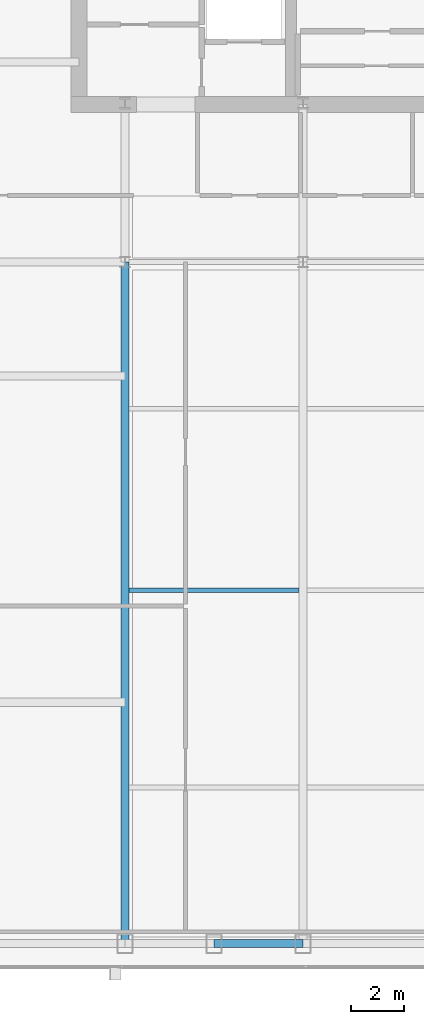
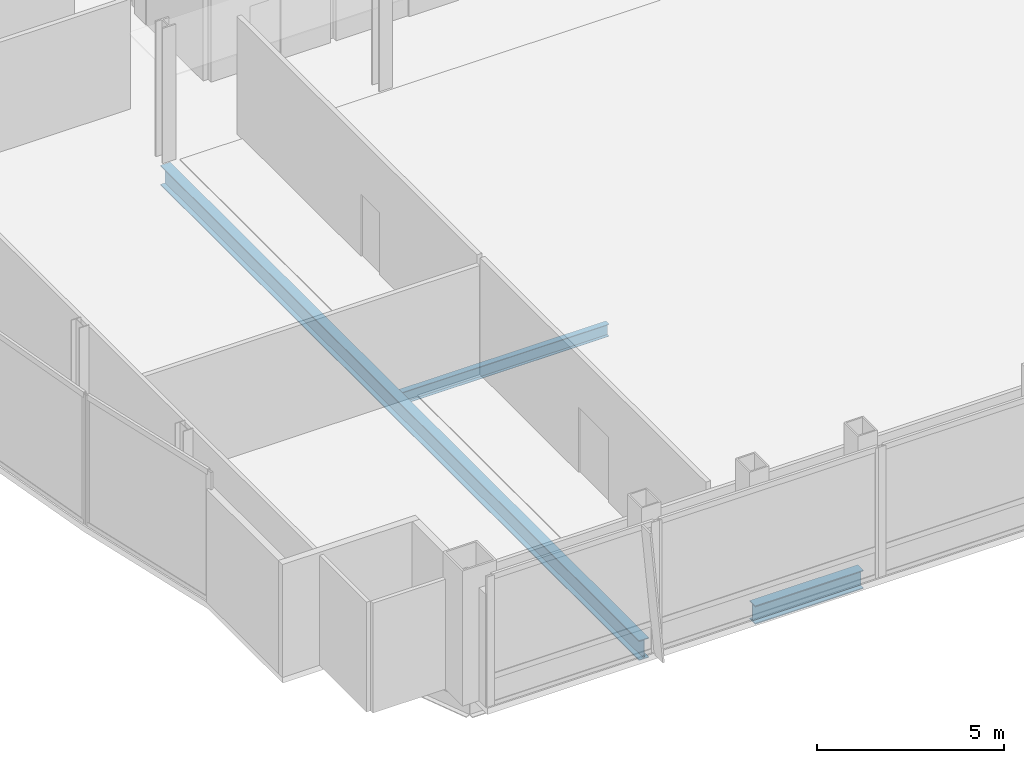
# One storey, part 7 of 28: 3 beams.
"""IFC4 building model written with IfcOpenShell, lengths in metres."""

from ifc_helpers import new_model, si_unit, direction, frame, origin, origin_2d, place, context, subcontext, project, spatial, i_section, extrude, material, material_profile, profile_set, type_object, element, save


model = new_model("IFC4")

# Units and contexts
model_context = context("Model", 3, precision=1e-05, world=origin(), true_north=direction((0.0, 1.0)))
body_context = subcontext(model_context, "Body", "Model", "MODEL_VIEW")
ifc_project = project(units=[si_unit("LENGTHUNIT", "METRE"), si_unit("AREAUNIT", "SQUARE_METRE"), si_unit("VOLUMEUNIT", "CUBIC_METRE"), si_unit("PLANEANGLEUNIT", "RADIAN"), si_unit("MASSUNIT", "GRAM", prefix="KILO")], contexts=[model_context])

# Site, building, storey
site_placement = place(None, origin())
site = spatial("IfcSite", under=ifc_project, at=site_placement, CompositionType="ELEMENT")
building_placement = place(site_placement, origin())
building = spatial("IfcBuilding", under=site, at=building_placement, Name="Khoronbel Lancet Exchange", CompositionType="ELEMENT")
storey_placement = place(building_placement, frame((0.0, 0.0, 265.39990234375)))
storey = spatial("IfcBuildingStorey", under=building, at=storey_placement, Name="L68", CompositionType="ELEMENT", Elevation=265.39990234375)

# Beams
ifc_material = material(Name="Steel S355", Category="steel")
ifc_material_profile_1 = material_profile(ifc_material, i_section(OverallWidth=0.300048828125, OverallDepth=0.64990234375, WebThickness=0.01611328125, FlangeThickness=0.031005859375, at=origin_2d()), Name="HEB 650")
ifc_profile_set_1 = profile_set([ifc_material_profile_1], Name="Steel S355")
beam_type_1 = type_object("IfcBeamType", Name="BM-BG4", PredefinedType="BEAM", material=ifc_profile_set_1)
beam_1_placement = place(storey_placement, frame((18.22509765625, 10.14990234375, -0.52490234375), z_axis=(0.0, 1.0, 0.0), x_axis=(-1.0, 0.0, 0.0)))
element("IfcBeam", 1, at=beam_1_placement, inside=storey, type_object=beam_type_1, Name="Level L68 south primary girder GS1", PredefinedType="BEAM", context=body_context, shape_type="SweptSolid", body=[
    extrude(i_section(OverallWidth=0.300048828125, OverallDepth=0.64990234375, WebThickness=0.01611328125, FlangeThickness=0.031005859375, at=origin_2d()), origin(), (0.0, 0.0, 1.0), 25.550048828125),
])
ifc_material_profile_2 = material_profile(ifc_material, i_section(OverallWidth=0.179931640625, OverallDepth=0.39990234375, WebThickness=0.008544921875, FlangeThickness=0.013427734375, at=origin_2d()), Name="IPE 400")
ifc_profile_set_2 = profile_set([ifc_material_profile_2], Name="Steel S355")
beam_type_2 = type_object("IfcBeamType", Name="BM-BJ5", PredefinedType="JOIST", material=ifc_profile_set_2)
beam_2_placement = place(storey_placement, frame((18.375, 23.39990234375, -0.39990234375), z_axis=(1.0, 0.0, 0.0), x_axis=(0.0, 1.0, 0.0)))
element("IfcBeam", 2, at=beam_2_placement, inside=storey, type_object=beam_type_2, Name="Level L68 secondary composite joist J06", PredefinedType="JOIST", context=body_context, shape_type="SweptSolid", body=[
    extrude(i_section(OverallWidth=0.179931640625, OverallDepth=0.39990234375, WebThickness=0.008544921875, FlangeThickness=0.013427734375, at=origin_2d()), origin(), (0.0, 0.0, 1.0), 6.375),
])
ifc_material_profile_3 = material_profile(ifc_material, i_section(OverallWidth=0.300048828125, OverallDepth=0.60009765625, WebThickness=0.015380859375, FlangeThickness=0.030029296875, at=origin_2d()), Name="HEB 600")
ifc_profile_set_3 = profile_set([ifc_material_profile_3], Name="Steel S355")
beam_type_3 = type_object("IfcBeamType", Name="BM-BSP2", PredefinedType="SPANDREL", material=ifc_profile_set_3)
beam_3_placement = place(storey_placement, frame((21.5625, 10.14990234375, -0.5), z_axis=(1.0, 0.0, 0.0), x_axis=(0.0, 1.0, 0.0)))
element("IfcBeam", 3, at=beam_3_placement, inside=storey, type_object=beam_type_3, Name="Level L68 perimeter spandrel beam SP03", PredefinedType="SPANDREL", context=body_context, shape_type="SweptSolid", body=[
    extrude(i_section(OverallWidth=0.300048828125, OverallDepth=0.60009765625, WebThickness=0.015380859375, FlangeThickness=0.030029296875, at=origin_2d()), origin(), (0.0, 0.0, 1.0), 3.33740234375),
])

save(model, "model.ifc")
